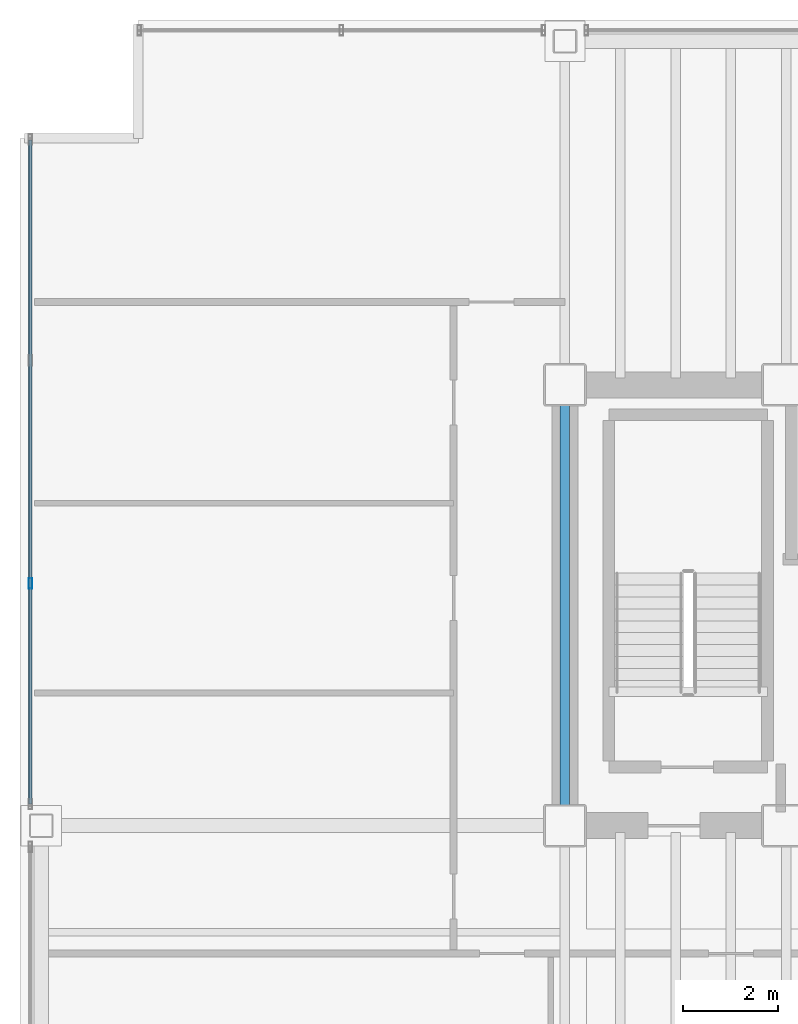
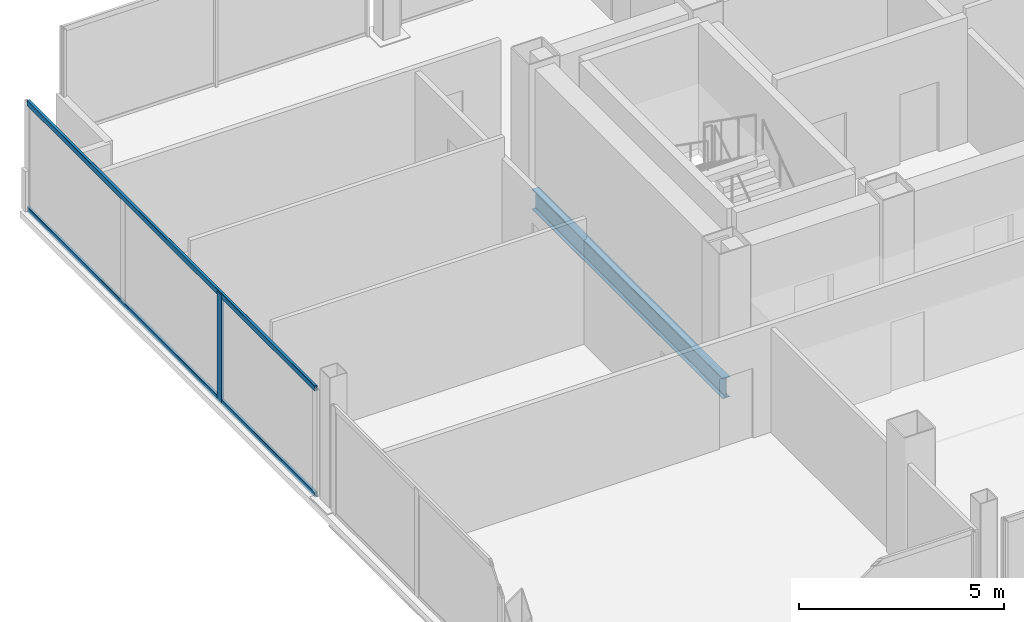
# One storey, part 6 of 19: 3 members, 1 beam, 1 element without a shape of its own.
"""IFC4 building model written with IfcOpenShell, lengths in metres."""

from ifc_helpers import new_model, si_unit, direction, frame, origin, origin_2d, place, context, subcontext, project, spatial, hollow_rectangle, i_section, extrude, material, material_profile, profile_set, type_object, element, aggregate, save


model = new_model("IFC4")

# Units and contexts
model_context = context("Model", 3, precision=1e-05, world=origin(), true_north=direction((0.0, 1.0)))
body_context = subcontext(model_context, "Body", "Model", "MODEL_VIEW")
ifc_project = project(units=[si_unit("LENGTHUNIT", "METRE"), si_unit("AREAUNIT", "SQUARE_METRE"), si_unit("VOLUMEUNIT", "CUBIC_METRE"), si_unit("PLANEANGLEUNIT", "RADIAN"), si_unit("MASSUNIT", "GRAM", prefix="KILO")], contexts=[model_context])

# Site, building, storey
site_placement = place(None, origin())
site = spatial("IfcSite", under=ifc_project, at=site_placement, CompositionType="ELEMENT")
building_placement = place(site_placement, origin())
building = spatial("IfcBuilding", under=site, at=building_placement, Name="Noeulbin Bourse Tower", CompositionType="ELEMENT")
storey_placement = place(building_placement, frame((0.0, 0.0, 146.10009765625)))
storey = spatial("IfcBuildingStorey", under=building, at=storey_placement, Name="L36", CompositionType="ELEMENT", Elevation=146.10009765625)

# Beam
ifc_material_1 = material(Name="Steel S355", Category="steel")
ifc_material_profile_1 = material_profile(ifc_material_1, i_section(OverallWidth=0.199951171875, OverallDepth=0.60009765625, WebThickness=0.010986328125, FlangeThickness=0.01708984375, FilletRadius=0.02197265625, at=origin_2d()), Name="H-600x200x11x17", Category="LoadBearing")
ifc_profile_set_1 = profile_set([ifc_material_profile_1], Name="Steel S355")
beam_type = type_object("IfcBeamType", Name="BM-GRD-600", PredefinedType="USERDEFINED", material=ifc_profile_set_1)
beam_placement = place(storey_placement, frame((13.5, 29.0, -0.47998046875), z_axis=(0.0, 1.0, 0.0), x_axis=(-1.0, 0.0, 0.0)))
element("IfcBeam", 1, at=beam_placement, inside=storey, type_object=beam_type, Name="Tower Primary Girder NS L36-1.3", ObjectType="GIRDER", PredefinedType="USERDEFINED", context=body_context, shape_type="SweptSolid", body=[
    extrude(i_section(OverallWidth=0.199951171875, OverallDepth=0.60009765625, WebThickness=0.010986328125, FlangeThickness=0.01708984375, FilletRadius=0.02197265625, at=origin_2d()), origin(), (0.0, 0.0, 1.0), 9.300048828125),
])

# Curtain wall, members
ifc_material_2 = material(Name="Dark Tinted Triple Glazing", Category="glass")
curtain_wall_type = type_object("IfcCurtainWallType", Name="CW-SYS-3", PredefinedType="NOTDEFINED", material=ifc_material_2)
curtain_wall_placement = place(storey_placement, origin())
curtain_wall = element("IfcCurtainWall", 2, at=curtain_wall_placement, inside=storey, type_object=curtain_wall_type, Name="Unitised Curtain Wall CW-L36-W-S2", PredefinedType="NOTDEFINED")
ifc_material_3 = material(Name="Anodised Aluminium 6063-T6", Category="aluminium")
ifc_material_profile_2 = material_profile(ifc_material_3, hollow_rectangle(XDim=0.074951171875, YDim=0.219970703125, WallThickness=0.0048828125, InnerFilletRadius=0.00244140625, OuterFilletRadius=0.0048828125, at=origin_2d()), Name="ALU-MULL-75x220x5", Category="LoadBearing")
ifc_profile_set_2 = profile_set([ifc_material_profile_2], Name="Anodised Aluminium 6063-T6")
member_type_1 = type_object("IfcMemberType", Name="CW-SYS-3-MUL", PredefinedType="MULLION", material=ifc_profile_set_2)
member_1_placement = place(storey_placement, frame((2.219970703125, 34.11328125, -0.02001953125), z_axis=(0.0, 0.0, 1.0), x_axis=(1.0, 0.0, 0.0)))
member_1 = element("IfcMember", 3, at=member_1_placement, type_object=member_type_1, Name="Curtain Wall Mullion CW-L36-W-S2-M01", PredefinedType="MULLION", context=body_context, shape_type="SweptSolid", body=[
    extrude(hollow_rectangle(XDim=0.074951171875, YDim=0.219970703125, WallThickness=0.0048828125, InnerFilletRadius=0.00244140625, OuterFilletRadius=0.0048828125, at=origin_2d()), origin(), (0.0, 0.0, 1.0), 3.219970703125),
])
ifc_material_profile_3 = material_profile(ifc_material_3, hollow_rectangle(XDim=0.074951171875, YDim=0.159912109375, WallThickness=0.0048828125, InnerFilletRadius=0.00244140625, OuterFilletRadius=0.0048828125, at=origin_2d()), Name="ALU-TRAN-75x160x5", Category="LoadBearing")
ifc_profile_set_3 = profile_set([ifc_material_profile_3], Name="Anodised Aluminium 6063-T6")
member_type_2 = type_object("IfcMemberType", Name="CW-SYS-3-TRN", PredefinedType="USERDEFINED", material=ifc_profile_set_3)
member_2_placement = place(storey_placement, frame((2.219970703125, 29.4599609375, 0.010009765625), z_axis=(0.0, 1.0, 0.0), x_axis=(-1.0, 0.0, 0.0)))
member_2 = element("IfcMember", 4, at=member_2_placement, type_object=member_type_2, Name="Curtain Wall Transom CW-L36-W-S2-T00", ObjectType="TRANSOM", PredefinedType="USERDEFINED", context=body_context, shape_type="SweptSolid", body=[
    extrude(hollow_rectangle(XDim=0.074951171875, YDim=0.159912109375, WallThickness=0.0048828125, InnerFilletRadius=0.00244140625, OuterFilletRadius=0.0048828125, at=origin_2d()), origin(), (0.0, 0.0, 1.0), 14.010009765625),
])
member_3_placement = place(storey_placement, frame((2.219970703125, 29.4599609375, 3.169921875), z_axis=(0.0, 1.0, 0.0), x_axis=(-1.0, 0.0, 0.0)))
member_3 = element("IfcMember", 5, at=member_3_placement, type_object=member_type_2, Name="Curtain Wall Transom CW-L36-W-S2-T01", ObjectType="TRANSOM", PredefinedType="USERDEFINED", context=body_context, shape_type="SweptSolid", body=[
    extrude(hollow_rectangle(XDim=0.074951171875, YDim=0.159912109375, WallThickness=0.0048828125, InnerFilletRadius=0.00244140625, OuterFilletRadius=0.0048828125, at=origin_2d()), origin(), (0.0, 0.0, 1.0), 14.010009765625),
])
aggregate(curtain_wall, [member_1, member_2, member_3])

save(model, "model.ifc")
